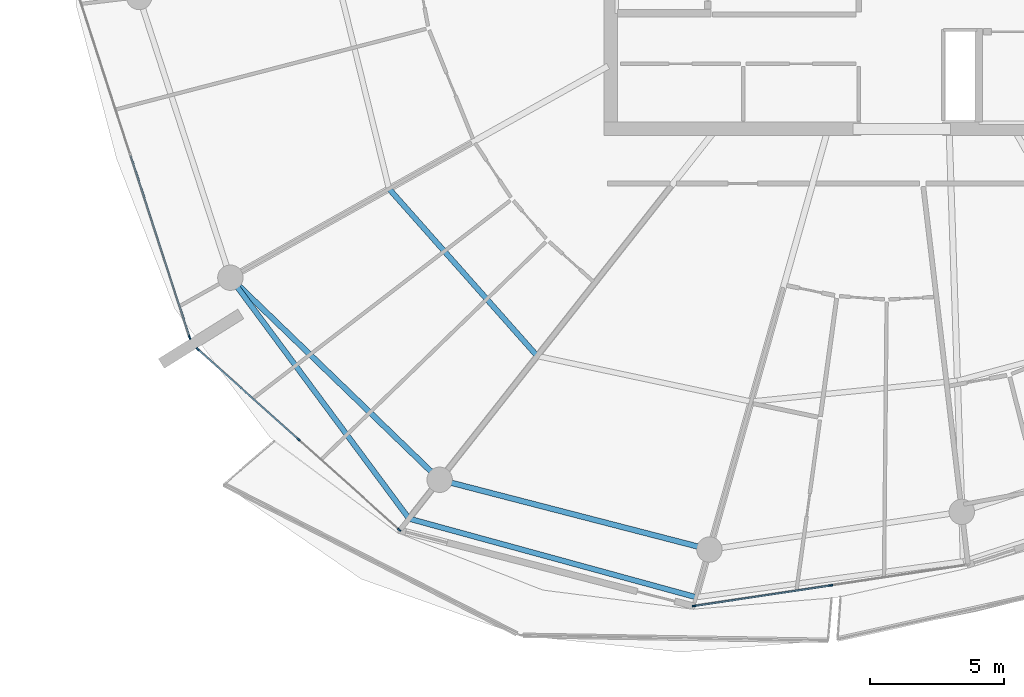
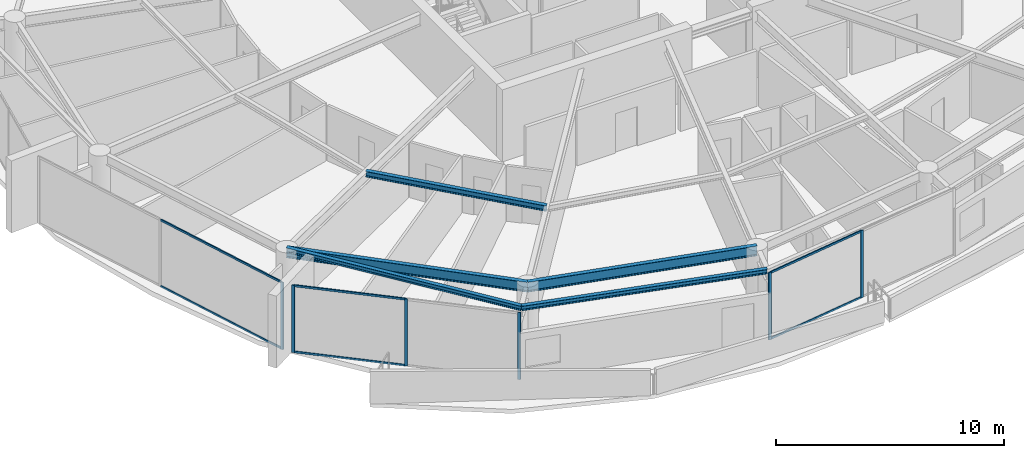
# One storey, part 5 of 29: 12 members, 5 beams, 3 elements without a shape of their own.
"""IFC4 building model written with IfcOpenShell, lengths in metres."""

from ifc_helpers import new_model, si_unit, direction, frame, origin, origin_2d, place, context, subcontext, project, spatial, rectangle, i_section, extrude, material, layer, layer_set, material_profile, profile_set, type_object, element, aggregate, save


model = new_model("IFC4")

# Units and contexts
model_context = context("Model", 3, precision=1e-05, world=origin(), true_north=direction((0.0, 1.0)))
body_context = subcontext(model_context, "Body", "Model", "MODEL_VIEW")
ifc_project = project(units=[si_unit("LENGTHUNIT", "METRE"), si_unit("AREAUNIT", "SQUARE_METRE"), si_unit("VOLUMEUNIT", "CUBIC_METRE"), si_unit("PLANEANGLEUNIT", "RADIAN"), si_unit("MASSUNIT", "GRAM", prefix="KILO")], contexts=[model_context])

# Site, building, storey
site_placement = place(None, origin())
site = spatial("IfcSite", under=ifc_project, at=site_placement, CompositionType="ELEMENT")
building_placement = place(site_placement, origin())
building = spatial("IfcBuilding", under=site, at=building_placement, Name="Kazma Halo Residences", CompositionType="ELEMENT")
storey_placement = place(building_placement, frame((0.0, 0.0, 282.89990234375)))
storey = spatial("IfcBuildingStorey", under=building, at=storey_placement, Name="L71", CompositionType="ELEMENT", Elevation=282.89990234375)

# Beams
ifc_material_1 = material(Name="Steel S355", Category="steel")
ifc_material_profile_1 = material_profile(ifc_material_1, i_section(OverallWidth=0.201904296875, OverallDepth=0.2470703125, WebThickness=0.00732421875, FlangeThickness=0.010986328125, FilletRadius=0.011962890625, at=origin_2d()), Name="W250x49.1")
ifc_profile_set_1 = profile_set([ifc_material_profile_1], Name="Steel S355")
beam_type_1 = type_object("IfcBeamType", Name="BM-BAL-CANT", PredefinedType="BEAM", material=ifc_profile_set_1)
beam_1_placement = place(storey_placement, frame((23.32958984375, 28.18408203125, 3.466552734375), z_axis=(0.595556062515, -0.803313747176, 0.0), x_axis=(0.803313747176, 0.595556062515, 0.0)))
element("IfcBeam", 1, at=beam_1_placement, inside=storey, type_object=beam_type_1, Name="L71 wave-balcony lead tie beam 09", PredefinedType="BEAM", context=body_context, shape_type="SweptSolid", body=[
    extrude(i_section(OverallWidth=0.201904296875, OverallDepth=0.2470703125, WebThickness=0.00732421875, FlangeThickness=0.010986328125, FilletRadius=0.011962890625, at=origin_2d()), origin(), (0.0, 0.0, 1.0), 11.213134765625),
])
beam_2_placement = place(storey_placement, frame((30.007568359375, 19.176513671875, 3.466552734375), z_axis=(0.964514665976, -0.264029277006, 0.0), x_axis=(0.264029277006, 0.964514665976, 0.0)))
element("IfcBeam", 2, at=beam_2_placement, inside=storey, type_object=beam_type_1, Name="L71 wave-balcony tie beam 10", PredefinedType="BEAM", context=body_context, shape_type="SweptSolid", body=[
    extrude(i_section(OverallWidth=0.201904296875, OverallDepth=0.2470703125, WebThickness=0.00732421875, FlangeThickness=0.010986328125, FilletRadius=0.011962890625, at=origin_2d()), origin(), (0.0, 0.0, 1.0), 11.1220703125),
])
ifc_material_profile_2 = material_profile(ifc_material_1, i_section(OverallWidth=0.202880859375, OverallDepth=0.302978515625, WebThickness=0.007568359375, FlangeThickness=0.01318359375, FilletRadius=0.013916015625, at=origin_2d()), Name="W310x60")
ifc_profile_set_2 = profile_set([ifc_material_profile_2], Name="Steel S355")
beam_type_2 = type_object("IfcBeamType", Name="BM-SEC-W310A", PredefinedType="JOIST", material=ifc_profile_set_2)
beam_3_placement = place(storey_placement, frame((29.26025390625, 31.505126953125, 3.4384765625), z_axis=(0.663307142238, -0.748347269024, 0.0), x_axis=(0.748347269024, 0.663307142238, 0.0)))
element("IfcBeam", 3, at=beam_3_placement, inside=storey, type_object=beam_type_2, Name="L71 circumferential floor joist 09", PredefinedType="JOIST", context=body_context, shape_type="SweptSolid", body=[
    extrude(i_section(OverallWidth=0.202880859375, OverallDepth=0.302978515625, WebThickness=0.007568359375, FlangeThickness=0.01318359375, FilletRadius=0.013916015625, at=origin_2d()), origin(), (0.0, 0.0, 1.0), 8.351318359375),
])
ifc_material_profile_3 = material_profile(ifc_material_1, i_section(OverallWidth=0.208984375, OverallDepth=0.532958984375, WebThickness=0.01025390625, FlangeThickness=0.015625, FilletRadius=0.01611328125, at=origin_2d()), Name="W530x92")
ifc_profile_set_3 = profile_set([ifc_material_profile_3], Name="Steel S355")
beam_type_3 = type_object("IfcBeamType", Name="BM-SPN-W530", PredefinedType="BEAM", material=ifc_profile_set_3)
beam_4_placement = place(storey_placement, frame((23.32958984375, 28.18408203125, 3.323486328125), z_axis=(0.719345757929, -0.694652201141, 0.0), x_axis=(0.694652201141, 0.719345757929, 0.0)))
element("IfcBeam", 4, at=beam_4_placement, inside=storey, type_object=beam_type_3, Name="L71 perimeter ring beam 09", PredefinedType="BEAM", context=body_context, shape_type="SweptSolid", body=[
    extrude(i_section(OverallWidth=0.208984375, OverallDepth=0.532958984375, WebThickness=0.01025390625, FlangeThickness=0.015625, FilletRadius=0.01611328125, at=origin_2d()), origin(), (0.0, 0.0, 1.0), 10.87548828125),
])
beam_5_placement = place(storey_placement, frame((31.15283203125, 20.62939453125, 3.323486328125), z_axis=(0.968126042852, -0.250463500639, 0.0), x_axis=(0.250463500639, 0.968126042852, 0.0)))
element("IfcBeam", 5, at=beam_5_placement, inside=storey, type_object=beam_type_3, Name="L71 perimeter ring beam 10", PredefinedType="BEAM", context=body_context, shape_type="SweptSolid", body=[
    extrude(i_section(OverallWidth=0.208984375, OverallDepth=0.532958984375, WebThickness=0.01025390625, FlangeThickness=0.015625, FilletRadius=0.01611328125, at=origin_2d()), origin(), (0.0, 0.0, 1.0), 10.416259765625),
])

# Curtain wall, member
ifc_material_2 = material(Name="Aluminium AW-6063 T6 and Triple-Silver Low-E Glass", Category="aluminium")
ifc_layer = layer(ifc_material_2, 0.139892578125)
ifc_layer_set = layer_set([ifc_layer], Name="Aluminium AW-6063 T6 and Triple-Silver Low-E Glass")
curtain_wall_type = type_object("IfcCurtainWallType", Name="CW-SYS-5", PredefinedType="NOTDEFINED", material=ifc_layer_set)
curtain_wall_1_placement = place(storey_placement, origin())
curtain_wall_1 = element("IfcCurtainWall", 6, at=curtain_wall_1_placement, inside=storey, type_object=curtain_wall_type, Name="L71 unitised curtain wall B08", PredefinedType="NOTDEFINED")
ifc_material_3 = material(Name="Aluminium AW-6063 T6", Category="aluminium")
ifc_material_profile_4 = material_profile(ifc_material_3, rectangle(XDim=0.06005859375, YDim=0.139892578125, at=origin_2d()), Name="CWM-60x140")
ifc_profile_set_4 = profile_set([ifc_material_profile_4], Name="Aluminium AW-6063 T6")
member_type_1 = type_object("IfcMemberType", Name="CW-SYS-5-MUL", PredefinedType="MULLION", material=ifc_profile_set_4)
member_1_placement = place(storey_placement, frame((21.8076171875, 25.9521484375, 0.0), z_axis=(0.0, 0.0, 1.0), x_axis=(0.951058464359, 0.309010998786, 0.0)))
member_1 = element("IfcMember", 7, at=member_1_placement, type_object=member_type_1, Name="CWS-5 mullion 3", PredefinedType="MULLION", context=body_context, shape_type="SweptSolid", body=[
    extrude(rectangle(XDim=0.06005859375, YDim=0.139892578125, at=origin_2d()), origin(), (0.0, 0.0, 1.0), 3.590087890625),
])

# Curtain wall, members
curtain_wall_2_placement = place(storey_placement, origin())
curtain_wall_2 = element("IfcCurtainWall", 8, at=curtain_wall_2_placement, inside=storey, type_object=curtain_wall_type, Name="L71 unitised curtain wall B09", PredefinedType="NOTDEFINED")
member_2_placement = place(storey_placement, frame((22.11669921875, 25.508056640625, 0.0), z_axis=(0.0, 0.0, 1.0), x_axis=(0.667804826958, 0.744336424671, 0.0)))
member_2 = element("IfcMember", 9, at=member_2_placement, type_object=member_type_1, Name="CWS-5 mullion 1", PredefinedType="MULLION", context=body_context, shape_type="SweptSolid", body=[
    extrude(rectangle(XDim=0.06005859375, YDim=0.139892578125, at=origin_2d()), origin(), (0.0, 0.0, 1.0), 3.590087890625),
])
member_3_placement = place(storey_placement, frame((25.878173828125, 22.13330078125, 0.0), z_axis=(0.0, 0.0, 1.0), x_axis=(0.667804826958, 0.744336424671, 0.0)))
member_3 = element("IfcMember", 10, at=member_3_placement, type_object=member_type_1, Name="CWS-5 mullion 2", PredefinedType="MULLION", context=body_context, shape_type="SweptSolid", body=[
    extrude(rectangle(XDim=0.06005859375, YDim=0.139892578125, at=origin_2d()), origin(), (0.0, 0.0, 1.0), 3.590087890625),
])
member_4_placement = place(storey_placement, frame((29.6396484375, 18.758544921875, 0.0), z_axis=(0.0, 0.0, 1.0), x_axis=(0.667804826958, 0.744336424671, 0.0)))
member_4 = element("IfcMember", 11, at=member_4_placement, type_object=member_type_1, Name="CWS-5 mullion 3", PredefinedType="MULLION", context=body_context, shape_type="SweptSolid", body=[
    extrude(rectangle(XDim=0.06005859375, YDim=0.139892578125, at=origin_2d()), origin(), (0.0, 0.0, 1.0), 3.590087890625),
])

curtain_wall_3_placement = place(storey_placement, origin())
curtain_wall_3 = element("IfcCurtainWall", 12, at=curtain_wall_3_placement, inside=storey, type_object=curtain_wall_type, Name="L71 unitised curtain wall B11", PredefinedType="NOTDEFINED")
member_5_placement = place(storey_placement, frame((40.671142578125, 15.912841796875, 0.0), z_axis=(0.0, 0.0, 1.0), x_axis=(-0.148697080374, 0.988882792998, 0.0)))
member_5 = element("IfcMember", 13, at=member_5_placement, type_object=member_type_1, Name="CWS-5 mullion 1", PredefinedType="MULLION", context=body_context, shape_type="SweptSolid", body=[
    extrude(rectangle(XDim=0.06005859375, YDim=0.139892578125, at=origin_2d()), origin(), (0.0, 0.0, 1.0), 3.590087890625),
])
member_6_placement = place(storey_placement, frame((45.7734375, 16.679931640625, 0.0), z_axis=(0.0, 0.0, 1.0), x_axis=(-0.148697080374, 0.988882792998, 0.0)))
member_6 = element("IfcMember", 14, at=member_6_placement, type_object=member_type_1, Name="CWS-5 mullion 2", PredefinedType="MULLION", context=body_context, shape_type="SweptSolid", body=[
    extrude(rectangle(XDim=0.06005859375, YDim=0.139892578125, at=origin_2d()), origin(), (0.0, 0.0, 1.0), 3.590087890625),
])

# Member
ifc_material_profile_5 = material_profile(ifc_material_3, rectangle(XDim=0.06005859375, YDim=0.10498046875, at=origin_2d()), Name="CWT-60x105")
ifc_profile_set_5 = profile_set([ifc_material_profile_5], Name="Aluminium AW-6063 T6")
member_type_2 = type_object("IfcMemberType", Name="CW-SYS-5-TRN", PredefinedType="USERDEFINED", material=ifc_profile_set_5)
member_7_placement = place(storey_placement, frame((19.6015625, 32.7412109375, 0.030029296875), z_axis=(0.309027052142, -0.95105324827, 0.0), x_axis=(0.95105324827, 0.309027052142, 0.0)))
member_7 = element("IfcMember", 15, at=member_7_placement, type_object=member_type_2, Name="CWS-5 transom 2.1", ObjectType="TRANSOM", PredefinedType="USERDEFINED", context=body_context, shape_type="SweptSolid", body=[
    extrude(rectangle(XDim=0.06005859375, YDim=0.10498046875, at=origin_2d()), origin(), (0.0, 0.0, 1.0), 7.108642578125),
])

member_8_placement = place(storey_placement, frame((19.6015625, 32.7412109375, 3.56005859375), z_axis=(0.309027052142, -0.95105324827, 0.0), x_axis=(0.95105324827, 0.309027052142, 0.0)))
member_8 = element("IfcMember", 16, at=member_8_placement, type_object=member_type_2, Name="CWS-5 transom 2.2", ObjectType="TRANSOM", PredefinedType="USERDEFINED", context=body_context, shape_type="SweptSolid", body=[
    extrude(rectangle(XDim=0.06005859375, YDim=0.10498046875, at=origin_2d()), origin(), (0.0, 0.0, 1.0), 7.108642578125),
])

aggregate(curtain_wall_1, [member_1, member_7, member_8])

member_9_placement = place(storey_placement, frame((22.138916015625, 25.488037109375, 0.030029296875), z_axis=(0.744328897483, -0.667813216679, 0.0), x_axis=(0.667813216679, 0.744328897483, 0.0)))
member_9 = element("IfcMember", 17, at=member_9_placement, type_object=member_type_2, Name="CWS-5 transom 1.1", ObjectType="TRANSOM", PredefinedType="USERDEFINED", context=body_context, shape_type="SweptSolid", body=[
    extrude(rectangle(XDim=0.06005859375, YDim=0.10498046875, at=origin_2d()), origin(), (0.0, 0.0, 1.0), 4.993408203125),
])

member_10_placement = place(storey_placement, frame((22.138916015625, 25.488037109375, 3.56005859375), z_axis=(0.744328897483, -0.667813216679, 0.0), x_axis=(0.667813216679, 0.744328897483, 0.0)))
member_10 = element("IfcMember", 18, at=member_10_placement, type_object=member_type_2, Name="CWS-5 transom 1.2", ObjectType="TRANSOM", PredefinedType="USERDEFINED", context=body_context, shape_type="SweptSolid", body=[
    extrude(rectangle(XDim=0.06005859375, YDim=0.10498046875, at=origin_2d()), origin(), (0.0, 0.0, 1.0), 4.993408203125),
])

aggregate(curtain_wall_2, [member_2, member_3, member_4, member_9, member_10])

member_11_placement = place(storey_placement, frame((40.70068359375, 15.917236328125, 0.030029296875), z_axis=(0.988883972013, 0.148689239341, 0.0), x_axis=(-0.148689239341, 0.988883972013, 0.0)))
member_11 = element("IfcMember", 19, at=member_11_placement, type_object=member_type_2, Name="CWS-5 transom 1.1", ObjectType="TRANSOM", PredefinedType="USERDEFINED", context=body_context, shape_type="SweptSolid", body=[
    extrude(rectangle(XDim=0.06005859375, YDim=0.10498046875, at=origin_2d()), origin(), (0.0, 0.0, 1.0), 5.099853515625),
])

member_12_placement = place(storey_placement, frame((40.70068359375, 15.917236328125, 3.56005859375), z_axis=(0.988883972013, 0.148689239341, 0.0), x_axis=(-0.148689239341, 0.988883972013, 0.0)))
member_12 = element("IfcMember", 20, at=member_12_placement, type_object=member_type_2, Name="CWS-5 transom 1.2", ObjectType="TRANSOM", PredefinedType="USERDEFINED", context=body_context, shape_type="SweptSolid", body=[
    extrude(rectangle(XDim=0.06005859375, YDim=0.10498046875, at=origin_2d()), origin(), (0.0, 0.0, 1.0), 5.099853515625),
])

aggregate(curtain_wall_3, [member_5, member_6, member_11, member_12])

save(model, "model.ifc")
